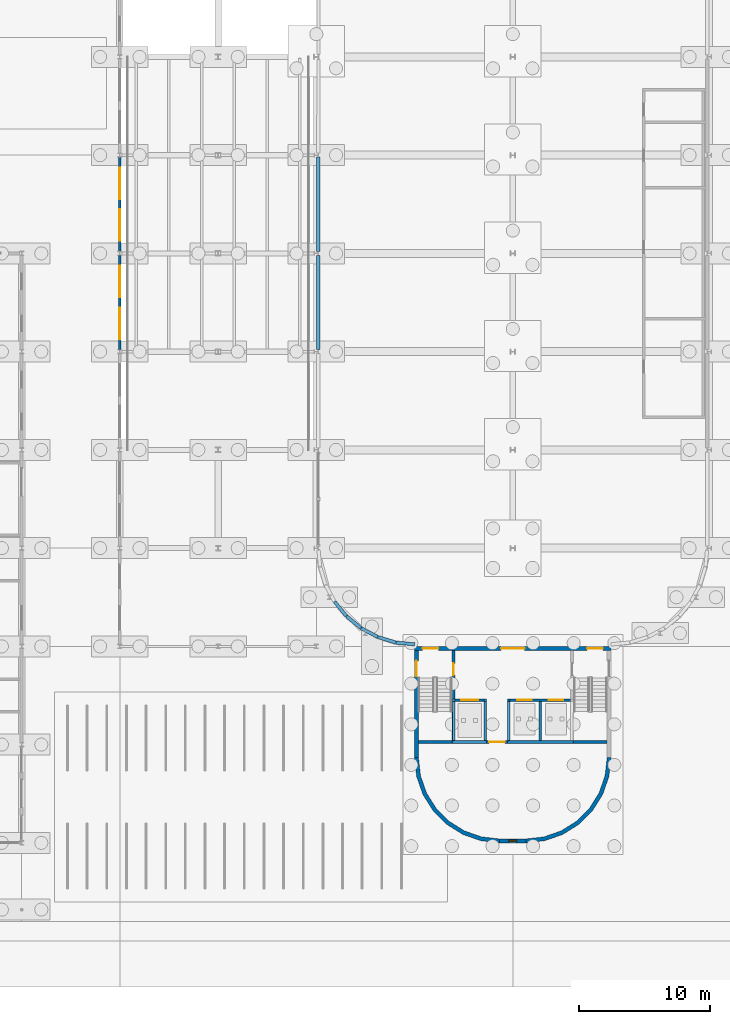
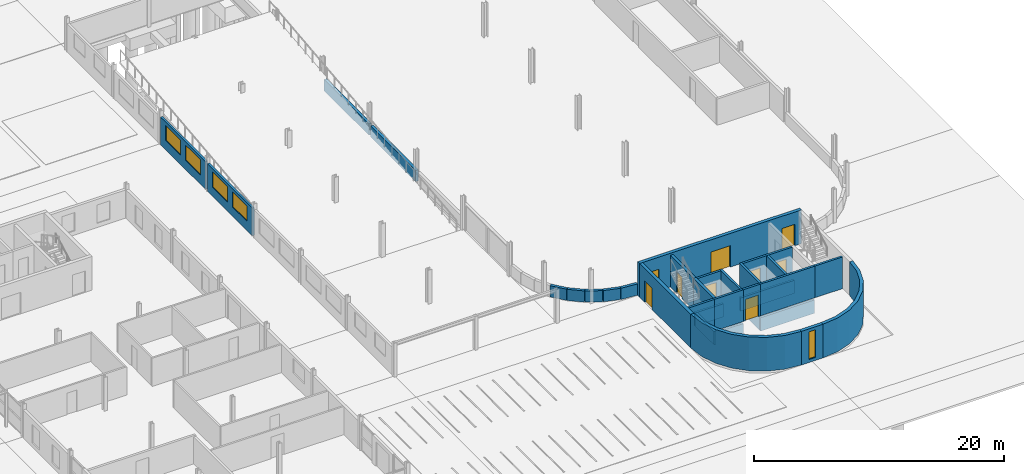
# One storey, part 89 of 130: 34 walls, 9 doors, 5 windows, 14 openings.
"""IFC4 building model written with IfcOpenShell, lengths in metres."""

from ifc_helpers import new_model, si_unit, direction, frame, frame_2d, origin, place, context, subcontext, project, spatial, polyline, rectangle, outline, extrude, material, layer, layer_set, type_object, element, fill, save


model = new_model("IFC4")

# Units and contexts
model_context = context("Model", 3, precision=1e-05, world=origin(), true_north=direction((0.0, 1.0)))
body_context = subcontext(model_context, "Body", "Model", "MODEL_VIEW")
ifc_project = project(units=[si_unit("LENGTHUNIT", "METRE"), si_unit("AREAUNIT", "SQUARE_METRE"), si_unit("VOLUMEUNIT", "CUBIC_METRE"), si_unit("PLANEANGLEUNIT", "RADIAN"), si_unit("MASSUNIT", "GRAM", prefix="KILO")], contexts=[model_context])

# Site, building, storey
site_placement = place(None, origin())
site = spatial("IfcSite", under=ifc_project, at=site_placement, CompositionType="ELEMENT")
building_placement = place(site_placement, origin())
building = spatial("IfcBuilding", under=site, at=building_placement, Name="Parallax Yard Mobility Hub", CompositionType="ELEMENT")
storey_placement = place(building_placement, origin())
storey = spatial("IfcBuildingStorey", under=building, at=storey_placement, Name="L00", CompositionType="ELEMENT", Elevation=0.0)

# Wall, openings, doors
ifc_material_1 = material(Name="Concrete fc' 35 MPa", Category="concrete")
ifc_layer_1 = layer(ifc_material_1, 0.300048828125)
ifc_layer_set_1 = layer_set([ifc_layer_1], Name="Concrete fc' 35 MPa core wall 300")
wall_type_1 = type_object("IfcWallType", Name="Concrete fc' 35 MPa core wall 300", PredefinedType="SHEAR", material=ifc_layer_set_1)
wall_1_placement = place(storey_placement, frame((202.5, 22.35009765625, 0.0), z_axis=(0.0, 0.0, 1.0), x_axis=(1.0, 0.0, 0.0)))
wall_1 = element("IfcWall", 1, at=wall_1_placement, inside=storey, type_object=wall_type_1, Name="Core C-S entry wall level L00", PredefinedType="SHEAR", context=body_context, shape_type="SweptSolid", body=[
    extrude(rectangle(XDim=15.0, YDim=0.300048828125, at=frame_2d((7.5, 0.0))), origin(), (0.0, 0.0, 1.0), 3.300048828125),
])
opening_1_placement = place(wall_1_placement, frame((13.179931640625, 0.0, 0.0)))
opening_1 = element("IfcOpeningElement", 2, at=opening_1_placement, cuts=wall_1, Name="Opening L00-D732", PredefinedType="OPENING", context=body_context, shape_type="SweptSolid", body=[
    extrude(rectangle(XDim=1.199951171875, YDim=2.10009765625, at=frame_2d((0.60009765625, 1.050048828125))), frame((0.0, 0.16015625, 0.0), z_axis=(0.0, -1.0, 0.0), x_axis=(1.0, 0.0, 0.0)), (0.0, 0.0, 1.0), 0.320068359375),
])
opening_2_placement = place(wall_1_placement, frame((0.6201171875, 0.0, 0.0)))
opening_2 = element("IfcOpeningElement", 3, at=opening_2_placement, cuts=wall_1, Name="Opening L00-D733", PredefinedType="OPENING", context=body_context, shape_type="SweptSolid", body=[
    extrude(rectangle(XDim=1.199951171875, YDim=2.10009765625, at=frame_2d((0.60009765625, 1.050048828125))), frame((0.0, 0.16015625, 0.0), z_axis=(0.0, -1.0, 0.0), x_axis=(1.0, 0.0, 0.0)), (0.0, 0.0, 1.0), 0.320068359375),
])
opening_3_placement = place(wall_1_placement, frame((6.60009765625, 0.0, 0.0)))
opening_3 = element("IfcOpeningElement", 4, at=opening_3_placement, cuts=wall_1, Name="Opening L00-D734", PredefinedType="OPENING", context=body_context, shape_type="SweptSolid", body=[
    extrude(rectangle(XDim=1.800048828125, YDim=2.10009765625, at=frame_2d((0.89990234375, 1.050048828125))), frame((0.0, 0.16015625, 0.0), z_axis=(0.0, -1.0, 0.0), x_axis=(1.0, 0.0, 0.0)), (0.0, 0.0, 1.0), 0.320068359375),
])
ifc_material_2 = material(Name="Hollow metal steel door and frame", Category="steel")
door_type_1 = type_object("IfcDoorType", Name="Core door 1200 x 2100 FD90", OperationType="NOTDEFINED", PredefinedType="DOOR", material=ifc_material_2)
door_1_placement = place(opening_1_placement, origin())
door_1 = element("IfcDoor", 5, at=door_1_placement, inside=storey, type_object=door_type_1, Name="Stair deck door L00-D732, core C-S level L00", OperationType="SINGLE_SWING_RIGHT", OverallHeight=2.10009765625, OverallWidth=1.199951171875, PredefinedType="DOOR", context=body_context, shape_type="SweptSolid", body=[
    extrude(rectangle(XDim=1.199951171875, YDim=2.10009765625, at=frame_2d((0.60009765625, 1.050048828125))), frame((0.0, 0.02490234375, 0.0), z_axis=(0.0, -1.0, 0.0), x_axis=(1.0, 0.0, 0.0)), (0.0, 0.0, 1.0), 0.050048828125),
])
fill(opening_1, door_1)
door_2_placement = place(opening_2_placement, origin())
door_2 = element("IfcDoor", 6, at=door_2_placement, inside=storey, type_object=door_type_1, Name="Stair deck door L00-D733, core C-S level L00", OperationType="SINGLE_SWING_LEFT", OverallHeight=2.10009765625, OverallWidth=1.199951171875, PredefinedType="DOOR", context=body_context, shape_type="SweptSolid", body=[
    extrude(rectangle(XDim=1.199951171875, YDim=2.10009765625, at=frame_2d((0.60009765625, 1.050048828125))), frame((0.0, 0.02490234375, 0.0), z_axis=(0.0, -1.0, 0.0), x_axis=(1.0, 0.0, 0.0)), (0.0, 0.0, 1.0), 0.050048828125),
])
fill(opening_2, door_2)
door_type_2 = type_object("IfcDoorType", Name="Core double door 1800 x 2100 FD90", OperationType="NOTDEFINED", PredefinedType="DOOR", material=ifc_material_2)
door_3_placement = place(opening_3_placement, origin())
door_3 = element("IfcDoor", 7, at=door_3_placement, inside=storey, type_object=door_type_2, Name="Lift lobby door L00-D734, core C-S level L00", OperationType="DOUBLE_DOOR_SINGLE_SWING", OverallHeight=2.10009765625, OverallWidth=1.800048828125, PredefinedType="DOOR", context=body_context, shape_type="SweptSolid", body=[
    extrude(rectangle(XDim=1.800048828125, YDim=2.10009765625, at=frame_2d((0.89990234375, 1.050048828125))), frame((0.0, 0.02490234375, 0.0), z_axis=(0.0, -1.0, 0.0), x_axis=(1.0, 0.0, 0.0)), (0.0, 0.0, 1.0), 0.050048828125),
])
fill(opening_3, door_3)

# Wall, opening, window
wall_2_placement = place(storey_placement, frame((211.0, 7.64990234375, 0.0), z_axis=(0.0, 0.0, 1.0), x_axis=(-1.0, 0.0, 0.0)))
wall_2 = element("IfcWall", 8, at=wall_2_placement, inside=storey, type_object=wall_type_1, Name="Core C-S back wall level L00", PredefinedType="SHEAR", context=body_context, shape_type="SweptSolid", body=[
    extrude(rectangle(XDim=2.0, YDim=0.300048828125, at=frame_2d((1.0, 0.0))), origin(), (0.0, 0.0, 1.0), 3.300048828125),
])
opening_4_placement = place(wall_2_placement, frame((0.699951171875, 0.0, 0.300048828125)))
opening_4 = element("IfcOpeningElement", 9, at=opening_4_placement, cuts=wall_2, Name="Opening CW-S1", PredefinedType="OPENING", context=body_context, shape_type="SweptSolid", body=[
    extrude(rectangle(XDim=0.60009765625, YDim=2.699951171875, at=frame_2d((0.300048828125, 1.35009765625))), frame((0.0, 0.16015625, 0.0), z_axis=(0.0, -1.0, 0.0), x_axis=(1.0, 0.0, 0.0)), (0.0, 0.0, 1.0), 0.320068359375),
])
ifc_material_3 = material(Name="Fire-resisting glazing in a steel frame", Category="steel")
window_type_1 = type_object("IfcWindowType", Name="Core slot window 600 x 2700", PartitioningType="SINGLE_PANEL", PredefinedType="WINDOW", material=ifc_material_3)
window_1_placement = place(opening_4_placement, origin())
window_1 = element("IfcWindow", 10, at=window_1_placement, inside=storey, type_object=window_type_1, Name="Glazed slot 1, core C-S level L00", OverallHeight=2.699951171875, OverallWidth=0.60009765625, PartitioningType="SINGLE_PANEL", PredefinedType="WINDOW", context=body_context, shape_type="SweptSolid", body=[
    extrude(rectangle(XDim=0.60009765625, YDim=2.699951171875, at=frame_2d((0.300048828125, 1.35009765625))), frame((0.0, 0.030029296875, 0.0), z_axis=(0.0, -1.0, 0.0), x_axis=(1.0, 0.0, 0.0)), (0.0, 0.0, 1.0), 0.06005859375),
])
fill(opening_4, window_1)

# Wall, opening, door
wall_3_placement = place(storey_placement, frame((202.64990234375, 14.0, 0.0), z_axis=(0.0, 0.0, 1.0), x_axis=(0.0, 1.0, 0.0)))
wall_3 = element("IfcWall", 11, at=wall_3_placement, inside=storey, type_object=wall_type_1, Name="Core C-S east-side end wall level L00", PredefinedType="SHEAR", context=body_context, shape_type="SweptSolid", body=[
    extrude(rectangle(XDim=8.199951171875, YDim=0.300048828125, at=frame_2d((4.10009765625, 0.0))), origin(), (0.0, 0.0, 1.0), 3.300048828125),
])
opening_5_placement = place(wall_3_placement, frame((6.199951171875, 0.0, 0.0)))
opening_5 = element("IfcOpeningElement", 12, at=opening_5_placement, cuts=wall_3, Name="Opening L00-D742", PredefinedType="OPENING", context=body_context, shape_type="SweptSolid", body=[
    extrude(rectangle(XDim=1.199951171875, YDim=2.10009765625, at=frame_2d((0.60009765625, 1.050048828125))), frame((0.0, 0.16015625, 0.0), z_axis=(0.0, -1.0, 0.0), x_axis=(1.0, 0.0, 0.0)), (0.0, 0.0, 1.0), 0.320068359375),
])
door_4_placement = place(opening_5_placement, origin())
door_4 = element("IfcDoor", 13, at=door_4_placement, inside=storey, type_object=door_type_1, Name="Stair exit door L00-D742, core C-S level L00", OperationType="SINGLE_SWING_RIGHT", OverallHeight=2.10009765625, OverallWidth=1.199951171875, PredefinedType="DOOR", context=body_context, shape_type="SweptSolid", body=[
    extrude(rectangle(XDim=1.199951171875, YDim=2.10009765625, at=frame_2d((0.60009765625, 1.050048828125))), frame((0.0, 0.02490234375, 0.0), z_axis=(0.0, -1.0, 0.0), x_axis=(1.0, 0.0, 0.0)), (0.0, 0.0, 1.0), 0.050048828125),
])
fill(opening_5, door_4)

# Walls
wall_4_placement = place(storey_placement, origin())
element("IfcWall", 14, at=wall_4_placement, inside=storey, type_object=wall_type_1, Name="Core C-S rounded corner west level L00", PredefinedType="SHEAR", context=body_context, shape_type="SweptSolid", body=[
    extrude(outline(polyline([(217.5, 14.0), (217.3369140625, 12.5537109375), (216.856201171875, 11.1796875), (216.081787109375, 9.947265625), (215.052734375, 8.918212890625), (213.8203125, 8.143798828125), (212.4462890625, 7.6630859375), (211.0, 7.5), (211.0, 7.800048828125), (212.379638671875, 7.955322265625), (213.690185546875, 8.4140625), (214.865478515625, 9.152587890625), (215.847412109375, 10.134521484375), (216.5859375, 11.309814453125), (217.044677734375, 12.620361328125), (217.199951171875, 14.0), (217.5, 14.0)])), origin(), (0.0, 0.0, 1.0), 3.300048828125),
])
wall_5_placement = place(storey_placement, origin())
element("IfcWall", 15, at=wall_5_placement, inside=storey, type_object=wall_type_1, Name="Core C-S rounded corner east level L00", PredefinedType="SHEAR", context=body_context, shape_type="SweptSolid", body=[
    extrude(outline(polyline([(202.5, 14.0), (202.6630859375, 12.5537109375), (203.143798828125, 11.1796875), (203.918212890625, 9.947265625), (204.947265625, 8.918212890625), (206.1796875, 8.143798828125), (207.5537109375, 7.6630859375), (209.0, 7.5), (209.0, 7.800048828125), (207.620361328125, 7.955322265625), (206.309814453125, 8.4140625), (205.134521484375, 9.152587890625), (204.152587890625, 10.134521484375), (203.4140625, 11.309814453125), (202.955322265625, 12.620361328125), (202.800048828125, 14.0), (202.5, 14.0)])), origin(), (0.0, 0.0, 1.0), 3.300048828125),
])

# Wall, openings, doors
ifc_layer_2 = layer(ifc_material_1, 0.199951171875)
ifc_layer_set_2 = layer_set([ifc_layer_2], Name="Concrete fc' 35 MPa internal core wall 200")
wall_type_2 = type_object("IfcWallType", Name="Concrete fc' 35 MPa internal core wall 200", PredefinedType="STANDARD", material=ifc_layer_set_2)
wall_6_placement = place(storey_placement, frame((214.39990234375, 18.39990234375, 0.0), z_axis=(0.0, 0.0, 1.0), x_axis=(-1.0, 0.0, 0.0)))
wall_6 = element("IfcWall", 16, at=wall_6_placement, inside=storey, type_object=wall_type_2, Name="Core C-S lift front 1 part 1 level L00", PredefinedType="STANDARD", context=body_context, shape_type="SweptSolid", body=[
    extrude(rectangle(XDim=4.599853515625, YDim=0.199951171875, at=frame_2d((2.2998046875, 0.0))), origin(), (0.0, 0.0, 1.0), 3.10009765625),
])
opening_6_placement = place(wall_6_placement, frame((0.550048828125, 0.0, 0.0)))
opening_6 = element("IfcOpeningElement", 17, at=opening_6_placement, cuts=wall_6, Name="Opening L00-D737", PredefinedType="OPENING", context=body_context, shape_type="SweptSolid", body=[
    extrude(rectangle(XDim=1.10009765625, YDim=2.10009765625, at=frame_2d((0.550048828125, 1.050048828125))), frame((0.0, 0.10986328125, 0.0), z_axis=(0.0, -1.0, 0.0), x_axis=(1.0, 0.0, 0.0)), (0.0, 0.0, 1.0), 0.219970703125),
])
opening_7_placement = place(wall_6_placement, frame((2.949951171875, 0.0, 0.0)))
opening_7 = element("IfcOpeningElement", 18, at=opening_7_placement, cuts=wall_6, Name="Opening L00-D738", PredefinedType="OPENING", context=body_context, shape_type="SweptSolid", body=[
    extrude(rectangle(XDim=1.10009765625, YDim=2.10009765625, at=frame_2d((0.550048828125, 1.050048828125))), frame((0.0, 0.10986328125, 0.0), z_axis=(0.0, -1.0, 0.0), x_axis=(1.0, 0.0, 0.0)), (0.0, 0.0, 1.0), 0.219970703125),
])
ifc_material_4 = material(Name="Stainless steel sliding door and frame", Category="steel")
door_type_3 = type_object("IfcDoorType", Name="Lift landing door 1100 x 2100 FD90", OperationType="DOUBLE_DOOR_SLIDING", PredefinedType="DOOR", material=ifc_material_4)
door_5_placement = place(opening_6_placement, origin())
door_5 = element("IfcDoor", 19, at=door_5_placement, inside=storey, type_object=door_type_3, Name="Lift landing door L00-D737, core C-S level L00", OperationType="DOUBLE_DOOR_SLIDING", OverallHeight=2.10009765625, OverallWidth=1.10009765625, PredefinedType="DOOR", context=body_context, shape_type="SweptSolid", body=[
    extrude(rectangle(XDim=1.10009765625, YDim=2.10009765625, at=frame_2d((0.550048828125, 1.050048828125))), frame((0.0, 0.02490234375, 0.0), z_axis=(0.0, -1.0, 0.0), x_axis=(1.0, 0.0, 0.0)), (0.0, 0.0, 1.0), 0.050048828125),
])
fill(opening_6, door_5)
door_6_placement = place(opening_7_placement, origin())
door_6 = element("IfcDoor", 20, at=door_6_placement, inside=storey, type_object=door_type_3, Name="Lift landing door L00-D738, core C-S level L00", OperationType="DOUBLE_DOOR_SLIDING", OverallHeight=2.10009765625, OverallWidth=1.10009765625, PredefinedType="DOOR", context=body_context, shape_type="SweptSolid", body=[
    extrude(rectangle(XDim=1.10009765625, YDim=2.10009765625, at=frame_2d((0.550048828125, 1.050048828125))), frame((0.0, 0.02490234375, 0.0), z_axis=(0.0, -1.0, 0.0), x_axis=(1.0, 0.0, 0.0)), (0.0, 0.0, 1.0), 0.050048828125),
])
fill(opening_7, door_6)

# Wall, opening, door
wall_7_placement = place(storey_placement, frame((207.800048828125, 18.39990234375, 0.0), z_axis=(0.0, 0.0, 1.0), x_axis=(-1.0, 0.0, 0.0)))
wall_7 = element("IfcWall", 21, at=wall_7_placement, inside=storey, type_object=wall_type_2, Name="Core C-S lift front 2 part 2 level L00", PredefinedType="STANDARD", context=body_context, shape_type="SweptSolid", body=[
    extrude(rectangle(XDim=2.199951171875, YDim=0.199951171875, at=frame_2d((1.10009765625, 0.0))), origin(), (0.0, 0.0, 1.0), 3.10009765625),
])
opening_8_placement = place(wall_7_placement, frame((0.449951171875, 0.0, 0.0)))
opening_8 = element("IfcOpeningElement", 22, at=opening_8_placement, cuts=wall_7, Name="Opening L00-D739", PredefinedType="OPENING", context=body_context, shape_type="SweptSolid", body=[
    extrude(rectangle(XDim=1.300048828125, YDim=2.10009765625, at=frame_2d((0.64990234375, 1.050048828125))), frame((0.0, 0.10986328125, 0.0), z_axis=(0.0, -1.0, 0.0), x_axis=(1.0, 0.0, 0.0)), (0.0, 0.0, 1.0), 0.219970703125),
])
door_type_4 = type_object("IfcDoorType", Name="Goods lift landing door 1300 x 2100 FD90", OperationType="DOUBLE_DOOR_SLIDING", PredefinedType="DOOR", material=ifc_material_4)
door_7_placement = place(opening_8_placement, origin())
door_7 = element("IfcDoor", 23, at=door_7_placement, inside=storey, type_object=door_type_4, Name="Lift landing door L00-D739, core C-S level L00", OperationType="DOUBLE_DOOR_SLIDING", OverallHeight=2.10009765625, OverallWidth=1.300048828125, PredefinedType="DOOR", context=body_context, shape_type="SweptSolid", body=[
    extrude(rectangle(XDim=1.300048828125, YDim=2.10009765625, at=frame_2d((0.64990234375, 1.050048828125))), frame((0.0, 0.02490234375, 0.0), z_axis=(0.0, -1.0, 0.0), x_axis=(1.0, 0.0, 0.0)), (0.0, 0.0, 1.0), 0.050048828125),
])
fill(opening_8, door_7)

# Walls
wall_8_placement = place(storey_placement, frame((212.10009765625, 18.300048828125, 0.0), z_axis=(0.0, 0.0, 1.0), x_axis=(0.0, -1.0, 0.0)))
element("IfcWall", 24, at=wall_8_placement, inside=storey, type_object=wall_type_2, Name="Core C-S lift wall 1 part 1 level L00", PredefinedType="STANDARD", context=body_context, shape_type="SweptSolid", body=[
    extrude(rectangle(XDim=3.0, YDim=0.199951171875, at=frame_2d((1.5, 0.0))), origin(), (0.0, 0.0, 1.0), 3.10009765625),
])
for number, where, z_axis, x_axis, name in (
    (25, (209.699951171875, 18.5, 0.0), (0.0, 0.0, 1.0), (0.0, -1.0, 0.0), "Core C-S lift wall 2 part 2 level L00"),
    (26, (207.89990234375, 18.5, 0.0), (0.0, 0.0, 1.0), (0.0, -1.0, 0.0), "Core C-S lift wall 3 part 3 level L00"),
):
    element("IfcWall", number, at=place(storey_placement, frame(where, z_axis=z_axis, x_axis=x_axis)), inside=storey, type_object=wall_type_2, Name=name, PredefinedType="STANDARD", context=body_context, shape_type="SweptSolid", body=[
        extrude(rectangle(XDim=3.199951171875, YDim=0.199951171875, at=frame_2d((1.60009765625, 0.0))), origin(), (0.0, 0.0, 1.0), 3.10009765625),
    ])
wall_9_placement = place(storey_placement, frame((217.199951171875, 15.199951171875, 0.0), z_axis=(0.0, 0.0, 1.0), x_axis=(-1.0, 0.0, 0.0)))
element("IfcWall", 27, at=wall_9_placement, inside=storey, type_object=wall_type_2, Name="Core C-S plant wall 1 part 1 level L00", PredefinedType="STANDARD", context=body_context, shape_type="SweptSolid", body=[
    extrude(rectangle(XDim=2.550048828125, YDim=0.199951171875, at=frame_2d((1.27490234375, 0.0))), origin(), (0.0, 0.0, 1.0), 3.10009765625),
])
wall_10_placement = place(storey_placement, frame((214.64990234375, 15.199951171875, 0.0), z_axis=(0.0, 0.0, 1.0), x_axis=(-1.0, 0.0, 0.0)))
element("IfcWall", 28, at=wall_10_placement, inside=storey, type_object=wall_type_2, Name="Core C-S plant wall 2 part 2 level L00", PredefinedType="STANDARD", context=body_context, shape_type="SweptSolid", body=[
    extrude(rectangle(XDim=5.0498046875, YDim=0.199951171875, at=frame_2d((2.52490234375, 0.0))), origin(), (0.0, 0.0, 1.0), 3.10009765625),
])

# Wall, opening, door
wall_11_placement = place(storey_placement, frame((209.60009765625, 15.199951171875, 0.0), z_axis=(0.0, 0.0, 1.0), x_axis=(-1.0, 0.0, 0.0)))
wall_11 = element("IfcWall", 29, at=wall_11_placement, inside=storey, type_object=wall_type_2, Name="Core C-S plant wall 3 part 3 level L00", PredefinedType="STANDARD", context=body_context, shape_type="SweptSolid", body=[
    extrude(rectangle(XDim=1.60009765625, YDim=0.199951171875, at=frame_2d((0.800048828125, 0.0))), origin(), (0.0, 0.0, 1.0), 3.10009765625),
])
opening_9_placement = place(wall_11_placement, frame((0.199951171875, 0.0, 0.0)))
opening_9 = element("IfcOpeningElement", 30, at=opening_9_placement, cuts=wall_11, Name="Opening L00-D740", PredefinedType="OPENING", context=body_context, shape_type="SweptSolid", body=[
    extrude(rectangle(XDim=1.199951171875, YDim=2.10009765625, at=frame_2d((0.60009765625, 1.050048828125))), frame((0.0, 0.10986328125, 0.0), z_axis=(0.0, -1.0, 0.0), x_axis=(1.0, 0.0, 0.0)), (0.0, 0.0, 1.0), 0.219970703125),
])
door_8_placement = place(opening_9_placement, origin())
door_8 = element("IfcDoor", 31, at=door_8_placement, inside=storey, type_object=door_type_1, Name="Plant room door L00-D740, core C-S level L00", OperationType="SINGLE_SWING_RIGHT", OverallHeight=2.10009765625, OverallWidth=1.199951171875, PredefinedType="DOOR", context=body_context, shape_type="SweptSolid", body=[
    extrude(rectangle(XDim=1.199951171875, YDim=2.10009765625, at=frame_2d((0.60009765625, 1.050048828125))), frame((0.0, 0.02490234375, 0.0), z_axis=(0.0, -1.0, 0.0), x_axis=(1.0, 0.0, 0.0)), (0.0, 0.0, 1.0), 0.050048828125),
])
fill(opening_9, door_8)

# Walls
wall_12_placement = place(storey_placement, frame((208.0, 15.199951171875, 0.0), z_axis=(0.0, 0.0, 1.0), x_axis=(-1.0, 0.0, 0.0)))
element("IfcWall", 32, at=wall_12_placement, inside=storey, type_object=wall_type_2, Name="Core C-S plant wall 4 part 4 level L00", PredefinedType="STANDARD", context=body_context, shape_type="SweptSolid", body=[
    extrude(rectangle(XDim=2.64990234375, YDim=0.199951171875, at=frame_2d((1.324951171875, 0.0))), origin(), (0.0, 0.0, 1.0), 3.10009765625),
])
wall_13_placement = place(storey_placement, frame((205.35009765625, 15.199951171875, 0.0), z_axis=(0.0, 0.0, 1.0), x_axis=(-1.0, 0.0, 0.0)))
element("IfcWall", 33, at=wall_13_placement, inside=storey, type_object=wall_type_2, Name="Core C-S plant wall 5 part 5 level L00", PredefinedType="STANDARD", context=body_context, shape_type="SweptSolid", body=[
    extrude(rectangle(XDim=2.550048828125, YDim=0.199951171875, at=frame_2d((1.27490234375, 0.0))), origin(), (0.0, 0.0, 1.0), 3.10009765625),
])
wall_14_placement = place(storey_placement, frame((214.60009765625, 18.39990234375, -1.5), z_axis=(0.0, 0.0, 1.0), x_axis=(-1.0, 0.0, 0.0)))
element("IfcWall", 34, at=wall_14_placement, inside=storey, type_object=wall_type_2, Name="Core C-S lift pit wall front (shaft group 1)", PredefinedType="STANDARD", context=body_context, shape_type="SweptSolid", body=[
    extrude(rectangle(XDim=5.0, YDim=0.199951171875, at=frame_2d((2.5, 0.0))), origin(), (0.0, 0.0, 1.0), 1.300048828125),
])
for number, where, z_axis, x_axis, name in (
    (35, (212.10009765625, 18.300048828125, -1.5), (0.0, 0.0, 1.0), (0.0, -1.0, 0.0), "Core C-S lift pit wall side 2 (shaft group 1)"),
    (36, (209.699951171875, 18.300048828125, -1.5), (0.0, 0.0, 1.0), (0.0, -1.0, 0.0), "Core C-S lift pit wall side 3 (shaft group 1)"),
):
    element("IfcWall", number, at=place(storey_placement, frame(where, z_axis=z_axis, x_axis=x_axis)), inside=storey, type_object=wall_type_2, Name=name, PredefinedType="STANDARD", context=body_context, shape_type="SweptSolid", body=[
        extrude(rectangle(XDim=3.0, YDim=0.199951171875, at=frame_2d((1.5, 0.0))), origin(), (0.0, 0.0, 1.0), 1.300048828125),
    ])
wall_15_placement = place(storey_placement, frame((214.60009765625, 15.199951171875, -1.5), z_axis=(0.0, 0.0, 1.0), x_axis=(-1.0, 0.0, 0.0)))
element("IfcWall", 37, at=wall_15_placement, inside=storey, type_object=wall_type_2, Name="Core C-S lift pit wall back (shaft group 1)", PredefinedType="STANDARD", context=body_context, shape_type="SweptSolid", body=[
    extrude(rectangle(XDim=5.0, YDim=0.199951171875, at=frame_2d((2.5, 0.0))), origin(), (0.0, 0.0, 1.0), 1.300048828125),
])
wall_16_placement = place(storey_placement, frame((208.0, 18.39990234375, -1.5), z_axis=(0.0, 0.0, 1.0), x_axis=(-1.0, 0.0, 0.0)))
element("IfcWall", 38, at=wall_16_placement, inside=storey, type_object=wall_type_2, Name="Core C-S lift pit wall front (shaft group 2)", PredefinedType="STANDARD", context=body_context, shape_type="SweptSolid", body=[
    extrude(rectangle(XDim=2.60009765625, YDim=0.199951171875, at=frame_2d((1.300048828125, 0.0))), origin(), (0.0, 0.0, 1.0), 1.300048828125),
])
for number, where, z_axis, x_axis, name in (
    (39, (207.89990234375, 18.300048828125, -1.5), (0.0, 0.0, 1.0), (0.0, -1.0, 0.0), "Core C-S lift pit wall side 1 (shaft group 2)"),
    (40, (205.5, 18.300048828125, -1.5), (0.0, 0.0, 1.0), (0.0, -1.0, 0.0), "Core C-S lift pit wall side 2 (shaft group 2)"),
):
    element("IfcWall", number, at=place(storey_placement, frame(where, z_axis=z_axis, x_axis=x_axis)), inside=storey, type_object=wall_type_2, Name=name, PredefinedType="STANDARD", context=body_context, shape_type="SweptSolid", body=[
        extrude(rectangle(XDim=3.0, YDim=0.199951171875, at=frame_2d((1.5, 0.0))), origin(), (0.0, 0.0, 1.0), 1.300048828125),
    ])
wall_17_placement = place(storey_placement, frame((208.0, 15.199951171875, -1.5), z_axis=(0.0, 0.0, 1.0), x_axis=(-1.0, 0.0, 0.0)))
element("IfcWall", 41, at=wall_17_placement, inside=storey, type_object=wall_type_2, Name="Core C-S lift pit wall back (shaft group 2)", PredefinedType="STANDARD", context=body_context, shape_type="SweptSolid", body=[
    extrude(rectangle(XDim=2.60009765625, YDim=0.199951171875, at=frame_2d((1.300048828125, 0.0))), origin(), (0.0, 0.0, 1.0), 1.300048828125),
])

# Wall, opening, door
ifc_layer_3 = layer(ifc_material_1, 0.25)
ifc_layer_set_3 = layer_set([ifc_layer_3], Name="Concrete fc' 35 MPa stair enclosure wall 250")
wall_type_3 = type_object("IfcWallType", Name="Concrete fc' 35 MPa stair enclosure wall 250", PredefinedType="STANDARD", material=ifc_layer_set_3)
wall_18_placement = place(storey_placement, frame((205.47509765625, 18.5, 0.0), z_axis=(0.0, 0.0, 1.0), x_axis=(0.0, 1.0, 0.0)))
wall_18 = element("IfcWall", 42, at=wall_18_placement, inside=storey, type_object=wall_type_3, Name="Core C-S stair 2 partition 1 part 1 level L00", PredefinedType="STANDARD", context=body_context, shape_type="SweptSolid", body=[
    extrude(rectangle(XDim=3.699951171875, YDim=0.25, at=frame_2d((1.85009765625, 0.0))), origin(), (0.0, 0.0, 1.0), 3.10009765625),
])
opening_10_placement = place(wall_18_placement, frame((1.800048828125, 0.0, 0.0)))
opening_10 = element("IfcOpeningElement", 43, at=opening_10_placement, cuts=wall_18, Name="Opening L00-D736", PredefinedType="OPENING", context=body_context, shape_type="SweptSolid", body=[
    extrude(rectangle(XDim=0.89990234375, YDim=2.10009765625, at=frame_2d((0.449951171875, 1.050048828125))), frame((0.0, 0.135009765625, 0.0), z_axis=(0.0, -1.0, 0.0), x_axis=(1.0, 0.0, 0.0)), (0.0, 0.0, 1.0), 0.27001953125),
])
door_type_5 = type_object("IfcDoorType", Name="Core door 900 x 2100 FD90", OperationType="NOTDEFINED", PredefinedType="DOOR", material=ifc_material_2)
door_9_placement = place(opening_10_placement, origin())
door_9 = element("IfcDoor", 44, at=door_9_placement, inside=storey, type_object=door_type_5, Name="Stair lobby door L00-D736, core C-S level L00", OperationType="SINGLE_SWING_RIGHT", OverallHeight=2.10009765625, OverallWidth=0.89990234375, PredefinedType="DOOR", context=body_context, shape_type="SweptSolid", body=[
    extrude(rectangle(XDim=0.89990234375, YDim=2.10009765625, at=frame_2d((0.449951171875, 1.050048828125))), frame((0.0, 0.02490234375, 0.0), z_axis=(0.0, -1.0, 0.0), x_axis=(1.0, 0.0, 0.0)), (0.0, 0.0, 1.0), 0.050048828125),
])
fill(opening_10, door_9)

# Walls
wall_19_placement = place(storey_placement, frame((205.47509765625, 18.5, 0.0), z_axis=(0.0, 0.0, 1.0), x_axis=(0.0, -1.0, 0.0)))
element("IfcWall", 45, at=wall_19_placement, inside=storey, type_object=wall_type_3, Name="Core C-S stair 2 partition 2 part 2 level L00", PredefinedType="STANDARD", context=body_context, shape_type="SweptSolid", body=[
    extrude(rectangle(XDim=3.199951171875, YDim=0.25, at=frame_2d((1.60009765625, 0.0))), origin(), (0.0, 0.0, 1.0), 3.10009765625),
])
ifc_layer_4 = layer(ifc_material_1, 0.25)
ifc_layer_set_4 = layer_set([ifc_layer_4], Name="Deck-edge barrier wall, Concrete fc' 35 MPa precast, 250")
wall_type_4 = type_object("IfcWallType", Name="Deck-edge barrier wall, Concrete fc' 35 MPa precast, 250", PredefinedType="SOLIDWALL", material=ifc_layer_set_4)
for number, where, z_axis, x_axis, name in (
    (46, (195.148681640625, 59.847412109375, 0.0), (0.0, 0.0, 1.0), (0.0, -1.0, 0.0), "Deck-edge barrier wall bay 26 level L00"),
    (47, (195.148681640625, 52.347412109375, 0.0), (0.0, 0.0, 1.0), (0.0, -1.0, 0.0), "Deck-edge barrier wall bay 27 level L00"),
):
    element("IfcWall", number, at=place(storey_placement, frame(where, z_axis=z_axis, x_axis=x_axis)), inside=storey, type_object=wall_type_4, Name=name, PredefinedType="SOLIDWALL", context=body_context, shape_type="SweptSolid", body=[
        extrude(rectangle(XDim=7.19482421875, YDim=0.25, at=frame_2d((3.597412109375, 0.0))), origin(), (0.0, 0.0, 1.0), 1.10009765625),
    ])
for number, where, z_axis, x_axis, name in (
    (48, (196.39892578125, 25.907958984375, 0.0), (0.0, 0.0, 1.0), (0.634207883179, -0.773162570817, 0.0), "Deck-edge barrier wall bay 30-4 level L00"),
    (49, (197.314208984375, 24.796875, 0.0), (0.0, 0.0, 1.0), (0.772768687577, -0.634687762211, 0.0), "Deck-edge barrier wall bay 30-5 level L00"),
    (50, (198.428466796875, 23.885498046875, 0.0), (0.0, 0.0, 1.0), (0.881767905796, -0.471683538305, 0.0), "Deck-edge barrier wall bay 30-6 level L00"),
):
    element("IfcWall", number, at=place(storey_placement, frame(where, z_axis=z_axis, x_axis=x_axis)), inside=storey, type_object=wall_type_4, Name=name, PredefinedType="SOLIDWALL", context=body_context, shape_type="SweptSolid", body=[
        extrude(rectangle(XDim=1.410888671875, YDim=0.25, at=frame_2d((0.70556640625, 0.0))), origin(), (0.0, 0.0, 1.0), 1.10009765625),
    ])
wall_20_placement = place(storey_placement, frame((199.698974609375, 23.208984375, 0.0), z_axis=(0.0, 0.0, 1.0), x_axis=(0.956772306496, -0.290838019389, 0.0)))
element("IfcWall", 51, at=wall_20_placement, inside=storey, type_object=wall_type_4, Name="Deck-edge barrier wall bay 30-7 level L00", PredefinedType="SOLIDWALL", context=body_context, shape_type="SweptSolid", body=[
    extrude(rectangle(XDim=1.4111328125, YDim=0.25, at=frame_2d((0.70556640625, 0.0))), origin(), (0.0, 0.0, 1.0), 1.10009765625),
])
wall_21_placement = place(storey_placement, frame((201.0771484375, 22.793212890625, 0.0), z_axis=(0.0, 0.0, 1.0), x_axis=(0.995120760319, -0.098664443357, 0.0)))
element("IfcWall", 52, at=wall_21_placement, inside=storey, type_object=wall_type_4, Name="Deck-edge barrier wall bay 30-8 level L00", PredefinedType="SOLIDWALL", context=body_context, shape_type="SweptSolid", body=[
    extrude(rectangle(XDim=1.440185546875, YDim=0.25, at=frame_2d((0.72021484375, 0.0))), origin(), (0.0, 0.0, 1.0), 1.10009765625),
])

# Wall, openings, windows
ifc_layer_5 = layer(ifc_material_1, 0.199951171875)
ifc_layer_set_5 = layer_set([ifc_layer_5], Name="Louvre screen wall, Concrete fc' 35 MPa precast, 200")
wall_type_5 = type_object("IfcWallType", Name="Louvre screen wall, Concrete fc' 35 MPa precast, 200", PredefinedType="SOLIDWALL", material=ifc_layer_set_5)
wall_22_placement = place(storey_placement, frame((180.0, 45.153564453125, 0.0), z_axis=(0.0, 0.0, 1.0), x_axis=(0.0, 1.0, 0.0)))
wall_22 = element("IfcWall", 53, at=wall_22_placement, inside=storey, type_object=wall_type_5, Name="Ramp house west wall bay 4 level L00", PredefinedType="SOLIDWALL", context=body_context, shape_type="SweptSolid", body=[
    extrude(rectangle(XDim=7.19287109375, YDim=0.199951171875, at=frame_2d((3.596435546875, 0.0))), origin(), (0.0, 0.0, 1.0), 2.7099609375),
])
opening_11_placement = place(wall_22_placement, frame((0.797607421875, 0.0, 0.89990234375)))
opening_11 = element("IfcOpeningElement", 54, at=opening_11_placement, cuts=wall_22, Name="Opening W1", PredefinedType="OPENING", context=body_context, shape_type="SweptSolid", body=[
    extrude(rectangle(XDim=2.39990234375, YDim=1.5, at=frame_2d((1.199951171875, 0.75))), frame((0.0, 0.10986328125, 0.0), z_axis=(0.0, -1.0, 0.0), x_axis=(1.0, 0.0, 0.0)), (0.0, 0.0, 1.0), 0.219970703125),
])
opening_12_placement = place(wall_22_placement, frame((3.995361328125, 0.0, 0.89990234375)))
opening_12 = element("IfcOpeningElement", 55, at=opening_12_placement, cuts=wall_22, Name="Opening W1", PredefinedType="OPENING", context=body_context, shape_type="SweptSolid", body=[
    extrude(rectangle(XDim=2.39990234375, YDim=1.5, at=frame_2d((1.199951171875, 0.75))), frame((0.0, 0.10986328125, 0.0), z_axis=(0.0, -1.0, 0.0), x_axis=(1.0, 0.0, 0.0)), (0.0, 0.0, 1.0), 0.219970703125),
])
ifc_material_5 = material(Name="Double glazed low-E unit in thermally broken aluminium frame", Category="aluminium")
window_type_2 = type_object("IfcWindowType", Name="Window 2400 x 1500", PartitioningType="DOUBLE_PANEL_VERTICAL", PredefinedType="WINDOW", material=ifc_material_5)
window_2_placement = place(opening_11_placement, origin())
window_2 = element("IfcWindow", 56, at=window_2_placement, inside=storey, type_object=window_type_2, Name="Window W1 level L00", OverallHeight=1.5, OverallWidth=2.39990234375, PartitioningType="DOUBLE_PANEL_VERTICAL", PredefinedType="WINDOW", context=body_context, shape_type="SweptSolid", body=[
    extrude(rectangle(XDim=2.39990234375, YDim=1.5, at=frame_2d((1.199951171875, 0.75))), frame((0.0, 0.030029296875, 0.0), z_axis=(0.0, -1.0, 0.0), x_axis=(1.0, 0.0, 0.0)), (0.0, 0.0, 1.0), 0.06005859375),
])
fill(opening_11, window_2)
window_3_placement = place(opening_12_placement, origin())
window_3 = element("IfcWindow", 57, at=window_3_placement, inside=storey, type_object=window_type_2, Name="Window W1 level L00", OverallHeight=1.5, OverallWidth=2.39990234375, PartitioningType="DOUBLE_PANEL_VERTICAL", PredefinedType="WINDOW", context=body_context, shape_type="SweptSolid", body=[
    extrude(rectangle(XDim=2.39990234375, YDim=1.5, at=frame_2d((1.199951171875, 0.75))), frame((0.0, 0.030029296875, 0.0), z_axis=(0.0, -1.0, 0.0), x_axis=(1.0, 0.0, 0.0)), (0.0, 0.0, 1.0), 0.06005859375),
])
fill(opening_12, window_3)

wall_23_placement = place(storey_placement, frame((180.0, 52.653564453125, 0.0), z_axis=(0.0, 0.0, 1.0), x_axis=(0.0, 1.0, 0.0)))
wall_23 = element("IfcWall", 58, at=wall_23_placement, inside=storey, type_object=wall_type_5, Name="Ramp house west wall bay 5 level L00", PredefinedType="SOLIDWALL", context=body_context, shape_type="SweptSolid", body=[
    extrude(rectangle(XDim=7.19287109375, YDim=0.199951171875, at=frame_2d((3.596435546875, 0.0))), origin(), (0.0, 0.0, 1.0), 2.7099609375),
])
opening_13_placement = place(wall_23_placement, frame((0.797607421875, 0.0, 0.89990234375)))
opening_13 = element("IfcOpeningElement", 59, at=opening_13_placement, cuts=wall_23, Name="Opening W1", PredefinedType="OPENING", context=body_context, shape_type="SweptSolid", body=[
    extrude(rectangle(XDim=2.39990234375, YDim=1.5, at=frame_2d((1.199951171875, 0.75))), frame((0.0, 0.10986328125, 0.0), z_axis=(0.0, -1.0, 0.0), x_axis=(1.0, 0.0, 0.0)), (0.0, 0.0, 1.0), 0.219970703125),
])
opening_14_placement = place(wall_23_placement, frame((3.995361328125, 0.0, 0.89990234375)))
opening_14 = element("IfcOpeningElement", 60, at=opening_14_placement, cuts=wall_23, Name="Opening W1", PredefinedType="OPENING", context=body_context, shape_type="SweptSolid", body=[
    extrude(rectangle(XDim=2.39990234375, YDim=1.5, at=frame_2d((1.199951171875, 0.75))), frame((0.0, 0.10986328125, 0.0), z_axis=(0.0, -1.0, 0.0), x_axis=(1.0, 0.0, 0.0)), (0.0, 0.0, 1.0), 0.219970703125),
])
window_4_placement = place(opening_13_placement, origin())
window_4 = element("IfcWindow", 61, at=window_4_placement, inside=storey, type_object=window_type_2, Name="Window W1 level L00", OverallHeight=1.5, OverallWidth=2.39990234375, PartitioningType="DOUBLE_PANEL_VERTICAL", PredefinedType="WINDOW", context=body_context, shape_type="SweptSolid", body=[
    extrude(rectangle(XDim=2.39990234375, YDim=1.5, at=frame_2d((1.199951171875, 0.75))), frame((0.0, 0.030029296875, 0.0), z_axis=(0.0, -1.0, 0.0), x_axis=(1.0, 0.0, 0.0)), (0.0, 0.0, 1.0), 0.06005859375),
])
fill(opening_13, window_4)
window_5_placement = place(opening_14_placement, origin())
window_5 = element("IfcWindow", 62, at=window_5_placement, inside=storey, type_object=window_type_2, Name="Window W1 level L00", OverallHeight=1.5, OverallWidth=2.39990234375, PartitioningType="DOUBLE_PANEL_VERTICAL", PredefinedType="WINDOW", context=body_context, shape_type="SweptSolid", body=[
    extrude(rectangle(XDim=2.39990234375, YDim=1.5, at=frame_2d((1.199951171875, 0.75))), frame((0.0, 0.030029296875, 0.0), z_axis=(0.0, -1.0, 0.0), x_axis=(1.0, 0.0, 0.0)), (0.0, 0.0, 1.0), 0.06005859375),
])
fill(opening_14, window_5)

save(model, "model.ifc")
